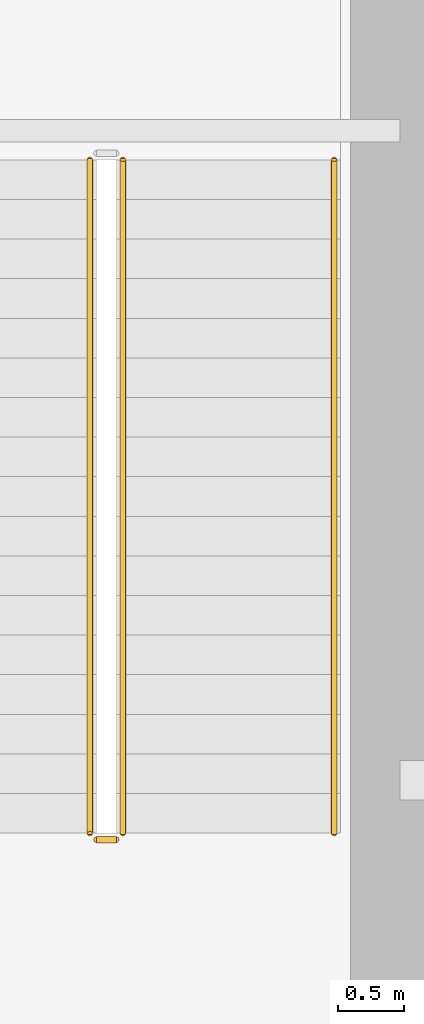
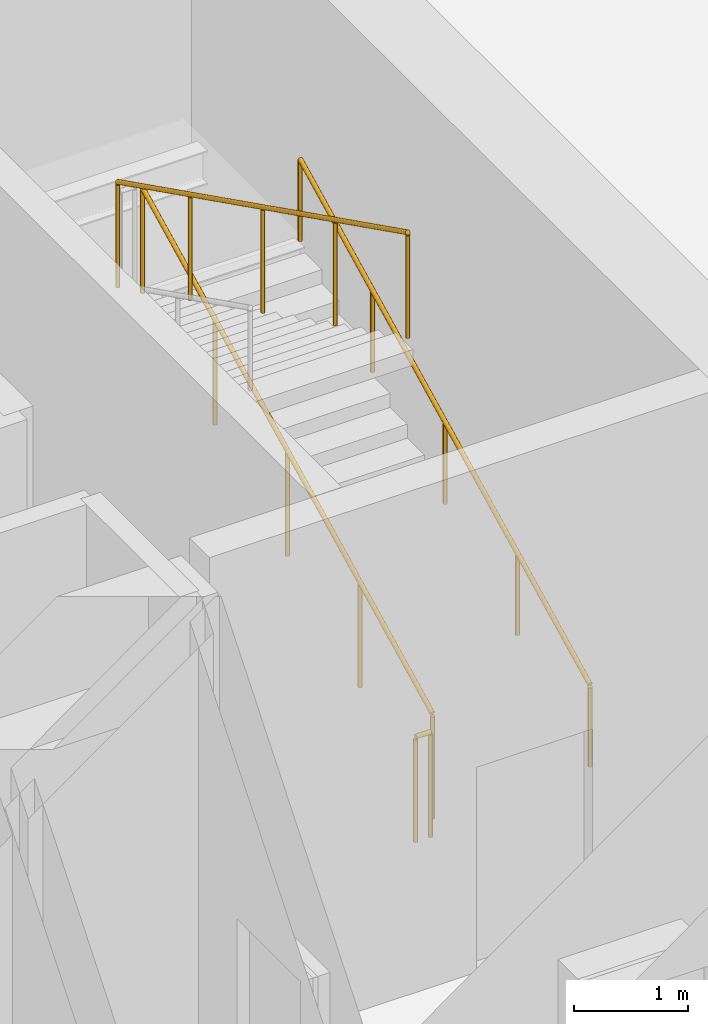
# One storey, part 33 of 39: 4 railings.
"""IFC4 building model written with IfcOpenShell, lengths in metres."""

import ifcopenshell
import ifcopenshell.guid

model = None  # the IFC model being written
_history = None  # IfcOwnerHistory: only IFC2X3 demands one
_inside = {}  # id of a spatial element -> (the spatial element, [elements in it])
_under = {}  # id of a project, library or spatial element -> (it, [spatial elements below it])
_declared = {}  # id of a project -> (the project, [libraries it declares])
_typed = {}  # id of a type object -> (the type object, [elements of that type])
_made_of = {}  # id of a material, layer set ... -> (it, [elements and type objects made of it])


def new_model(schema):
    """Start an empty IFC model of exactly this schema.

    Asked for "IFC4X3", IfcOpenShell would pick the latest addendum, in which some entities
    have other attributes; the version numbers below select the first issue.
    IFC2X3 requires an IfcOwnerHistory on every rooted entity: one is made here for all.
    """
    global model, _history
    if schema == "IFC4X3":
        model = ifcopenshell.file(schema_version=(4, 3, 0, 0))
    else:
        model = ifcopenshell.file(schema=schema)
    _inside.clear()
    _under.clear()
    _declared.clear()
    _typed.clear()
    _made_of.clear()
    _history = None
    if model.schema == "IFC2X3":
        org = make("IfcOrganization", Name="unknown")
        user = make(
            "IfcPersonAndOrganization",
            ThePerson=make("IfcPerson", FamilyName="unknown"),
            TheOrganization=org,
        )
        app = make(
            "IfcApplication",
            ApplicationDeveloper=org,
            Version="unknown",
            ApplicationFullName="unknown",
            ApplicationIdentifier="unknown",
        )
        _history = make(
            "IfcOwnerHistory",
            OwningUser=user,
            OwningApplication=app,
            ChangeAction="ADDED",
            CreationDate=0,
        )
    return model


def make(cls, **values):
    """One entity of the class cls with the attributes given. An attribute that is None is left unset."""
    return model.create_entity(
        cls, **{name: value for name, value in values.items() if value is not None}
    )


def rooted(cls, **values):
    """An entity with a GlobalId (a new one), such as an element, a storey or a relation."""
    return make(cls, GlobalId=ifcopenshell.guid.new(), OwnerHistory=_history, **values)


def si_unit(unit_type, name, prefix=None):
    """IfcSIUnit, for example si_unit("LENGTHUNIT", "METRE", prefix="MILLI")."""
    return make("IfcSIUnit", UnitType=unit_type, Prefix=prefix, Name=name)


def assignment(units):
    """IfcUnitAssignment: the units of a project."""
    return None if units is None else make("IfcUnitAssignment", Units=units)


def point(xyz):
    """IfcCartesianPoint."""
    return None if xyz is None else make("IfcCartesianPoint", Coordinates=xyz)


def direction(xyz):
    """IfcDirection."""
    return None if xyz is None else make("IfcDirection", DirectionRatios=xyz)


def frame(location, z_axis=None, x_axis=None):
    """IfcAxis2Placement3D, a coordinate frame: its origin and axes. An axis left out is left unset."""
    return make(
        "IfcAxis2Placement3D",
        Location=point(location),
        Axis=direction(z_axis),
        RefDirection=direction(x_axis),
    )


def frame_2d(location, x_axis=None):
    """IfcAxis2Placement2D, a coordinate frame in the plane: its origin and x axis."""
    return make(
        "IfcAxis2Placement2D", Location=point(location), RefDirection=direction(x_axis)
    )


def origin():
    """The frame at (0, 0, 0) with its axes left unset."""
    return frame((0.0, 0.0, 0.0))


def origin_2d():
    """The frame at (0, 0) in the plane with its x axis left unset."""
    return frame_2d((0.0, 0.0))


def place(relative_to, where):
    """IfcLocalPlacement: puts the frame where relative to a parent placement (None: the world)."""
    return make(
        "IfcLocalPlacement", PlacementRelTo=relative_to, RelativePlacement=where
    )


def context(
    kind, dimensions, precision=None, world=None, true_north=None, identifier=None
):
    """IfcGeometricRepresentationContext, for example the 3D "Model" context."""
    return make(
        "IfcGeometricRepresentationContext",
        ContextIdentifier=identifier,
        ContextType=kind,
        CoordinateSpaceDimension=dimensions,
        Precision=precision,
        WorldCoordinateSystem=world,
        TrueNorth=true_north,
    )


def subcontext(parent, identifier, kind, view, scale=None):
    """IfcGeometricRepresentationSubContext, for example "Body" below "Model"."""
    return make(
        "IfcGeometricRepresentationSubContext",
        ContextIdentifier=identifier,
        ContextType=kind,
        ParentContext=parent,
        TargetScale=scale,
        TargetView=view,
    )


def project(units=None, contexts=None):
    """IfcProject with its units and contexts."""
    return rooted(
        "IfcProject",
        Name="project",
        RepresentationContexts=contexts,
        UnitsInContext=assignment(units),
    )


def spatial(cls, under=None, at=None, **own):
    """A site, building, storey or space (cls), placed at a placement, below another one or the project."""
    s = rooted(cls, ObjectPlacement=at, **own)
    if under is not None:
        _under.setdefault(under.id(), (under, []))[1].append(s)
    return s


def profile(cls, at=None, kind="AREA", **sizes):
    """A parametric profile (cls). Its sizes go by their IFC names, for example OverallWidth=200.0."""
    return make(cls, ProfileType=kind, Position=at, **sizes)


def circle(**sizes):
    """IfcCircleProfileDef."""
    return profile("IfcCircleProfileDef", **sizes)


def extrude(swept, where, along, depth):
    """IfcExtrudedAreaSolid: the profile swept, set in the frame where, extruded along a direction by depth."""
    return make(
        "IfcExtrudedAreaSolid",
        SweptArea=swept,
        Position=where,
        ExtrudedDirection=direction(along),
        Depth=depth,
    )


def shape(context_of_items, identifier, shape_type, items):
    """IfcShapeRepresentation: the items that make up one representation, for example the "Body"."""
    return make(
        "IfcShapeRepresentation",
        ContextOfItems=context_of_items,
        RepresentationIdentifier=identifier,
        RepresentationType=shape_type,
        Items=items,
    )


def material(Name=None, Category=None):
    """IfcMaterial."""
    return make("IfcMaterial", Name=Name, Category=Category)


def made_of(thing, what):
    """Note that an element or type object is made of a material, layer set ...; save() writes the relation."""
    if what is not None:
        _made_of.setdefault(what.id(), (what, []))[1].append(thing)
    return thing


def type_object(cls, material=None, **own):
    """A type object (cls), such as IfcWallType, which elements share."""
    return made_of(rooted(cls, **own), material)


def element(
    cls,
    number,
    at=None,
    inside=None,
    cuts=None,
    type_object=None,
    material=None,
    context=None,
    identifier="Body",
    shape_type=None,
    held_by="IfcProductDefinitionShape",
    body=None,
    shapes=None,
    **own,
):
    """One element of the class cls, such as IfcWall. Its Tag is "e" and its number.

    at: its placement. inside: the storey or other place that contains it. cuts: it is an
    opening in that element (IfcRelVoidsElement). A single representation is given by context,
    identifier, shape_type and body (its items); several are given by shapes. held_by: the class
    of the entity that holds the representations. save() writes the other relations.
    """
    e = rooted(cls, Tag="e%d" % number, ObjectPlacement=at, **own)
    if body is not None:
        shapes = [shape(context, identifier, shape_type, body)]
    if shapes is not None:
        e.Representation = make(held_by, Representations=shapes)
    if inside is not None:
        _inside.setdefault(inside.id(), (inside, []))[1].append(e)
    if cuts is not None:
        rooted(
            "IfcRelVoidsElement", RelatingBuildingElement=cuts, RelatedOpeningElement=e
        )
    if type_object is not None:
        _typed.setdefault(type_object.id(), (type_object, []))[1].append(e)
    return made_of(e, material)


def aggregate(whole, parts):
    """IfcRelAggregates: a whole, such as a stair, and the parts it consists of."""
    return rooted("IfcRelAggregates", RelatingObject=whole, RelatedObjects=parts)


def save(model, path):
    """Write the relations noted so far, then the file.

    IfcRelAggregates (storeys below a building ...), IfcRelContainedInSpatialStructure (elements
    in a storey), IfcRelDefinesByType, IfcRelAssociatesMaterial and IfcRelDeclares: one each for
    every whole, place, type object, material and project.
    """
    for whole, parts in _under.values():
        aggregate(whole, parts)
    for where, things in _inside.values():
        rooted(
            "IfcRelContainedInSpatialStructure",
            RelatedElements=things,
            RelatingStructure=where,
        )
    for kind, things in _typed.values():
        rooted("IfcRelDefinesByType", RelatedObjects=things, RelatingType=kind)
    for what, things in _made_of.values():
        rooted("IfcRelAssociatesMaterial", RelatedObjects=things, RelatingMaterial=what)
    for by, libraries in _declared.values():
        rooted("IfcRelDeclares", RelatingContext=by, RelatedDefinitions=libraries)
    model.write(path)


model = new_model("IFC4")

# Units and contexts
model_context = context("Model", 3, precision=1e-05, world=origin(), true_north=direction((0.0, 1.0)))
body_context = subcontext(model_context, "Body", "Model", "MODEL_VIEW")
ifc_project = project(units=[si_unit("LENGTHUNIT", "METRE"), si_unit("AREAUNIT", "SQUARE_METRE"), si_unit("VOLUMEUNIT", "CUBIC_METRE"), si_unit("PLANEANGLEUNIT", "RADIAN"), si_unit("MASSUNIT", "GRAM", prefix="KILO")], contexts=[model_context])

# Site, building, storey
site_placement = place(None, origin())
site = spatial("IfcSite", under=ifc_project, at=site_placement, CompositionType="ELEMENT")
building_placement = place(site_placement, origin())
building = spatial("IfcBuilding", under=site, at=building_placement, Name="Punatoya Terracotta Tower", CompositionType="ELEMENT")
storey_placement = place(building_placement, frame((0.0, 0.0, 11.39990234375)))
storey = spatial("IfcBuildingStorey", under=building, at=storey_placement, Name="L02", CompositionType="ELEMENT", Elevation=11.39990234375)

# Railings
ifc_material = material(Name="Steel S355", Category="steel")
railing_type_1 = type_object("IfcRailingType", Name="RLG-GRD-1150", PredefinedType="GUARDRAIL", material=ifc_material)
railing_1_placement = place(storey_placement, frame((8.10009765625, -3.800048828125, 0.150146484375)))
element("IfcRailing", 1, at=railing_1_placement, inside=storey, type_object=railing_type_1, Name="L02 ST-2 stair guard 1", PredefinedType="GUARDRAIL", context=body_context, shape_type="SweptSolid", body=[
    extrude(circle(Radius=0.02392578125, at=origin_2d()), frame((0.0, 0.0, 1.1259765625), z_axis=(0.0, 0.894427191, 0.4472135955), x_axis=(-1.0, 0.0, 0.0)), (0.0, 0.0, 1.0), 5.7021484375),
    extrude(circle(Radius=0.02099609375, at=origin_2d()), origin(), (0.0, 0.0, 1.0), 1.101806640625),
    extrude(circle(Radius=0.02099609375, at=origin_2d()), frame((0.0, 1.27490234375, 0.637451171875)), (0.0, 0.0, 1.0), 1.101806640625),
    extrude(circle(Radius=0.02099609375, at=origin_2d()), frame((0.0, 2.550048828125, 1.27490234375)), (0.0, 0.0, 1.0), 1.101806640625),
    extrude(circle(Radius=0.02099609375, at=origin_2d()), frame((0.0, 3.8251953125, 1.91259765625)), (0.0, 0.0, 1.0), 1.101806640625),
    extrude(circle(Radius=0.02099609375, at=origin_2d()), frame((0.0, 5.10009765625, 2.550048828125)), (0.0, 0.0, 1.0), 1.101806640625),
])
railing_2_placement = place(storey_placement, frame((7.85009765625, 1.300048828125, 2.85009765625)))
element("IfcRailing", 2, at=railing_2_placement, inside=storey, type_object=railing_type_1, Name="L02 ST-2 stair guard 3", PredefinedType="GUARDRAIL", context=body_context, shape_type="SweptSolid", body=[
    extrude(circle(Radius=0.02392578125, at=origin_2d()), frame((0.0, 0.0, 1.1259765625), z_axis=(0.0, -0.894427191, 0.4472135955), x_axis=(1.0, 0.0, 0.0)), (0.0, 0.0, 1.0), 5.7021484375),
    extrude(circle(Radius=0.02099609375, at=origin_2d()), origin(), (0.0, 0.0, 1.0), 1.101806640625),
    extrude(circle(Radius=0.02099609375, at=origin_2d()), frame((0.0, -1.27490234375, 0.637451171875)), (0.0, 0.0, 1.0), 1.101806640625),
    extrude(circle(Radius=0.02099609375, at=origin_2d()), frame((0.0, -2.550048828125, 1.27490234375)), (0.0, 0.0, 1.0), 1.101806640625),
    extrude(circle(Radius=0.02099609375, at=origin_2d()), frame((0.0, -3.8251953125, 1.91259765625)), (0.0, 0.0, 1.0), 1.101806640625),
    extrude(circle(Radius=0.02099609375, at=origin_2d()), frame((0.0, -5.10009765625, 2.550048828125)), (0.0, 0.0, 1.0), 1.101806640625),
])
railing_3_placement = place(storey_placement, frame((8.050048828125, -3.85009765625, 0.0)))
element("IfcRailing", 3, at=railing_3_placement, inside=storey, type_object=railing_type_1, Name="L02 ST-2 stair guard 4", PredefinedType="GUARDRAIL", context=body_context, shape_type="SweptSolid", body=[
    extrude(circle(Radius=0.02392578125, at=origin_2d()), frame((0.0, 0.0, 1.1259765625), z_axis=(-1.0, 0.0, 0.0), x_axis=(0.0, -1.0, 0.0)), (0.0, 0.0, 1.0), 0.150146484375),
    extrude(circle(Radius=0.02099609375, at=origin_2d()), origin(), (0.0, 0.0, 1.0), 1.101806640625),
    extrude(circle(Radius=0.02099609375, at=origin_2d()), frame((-0.150146484375, 0.0, 0.0)), (0.0, 0.0, 1.0), 1.101806640625),
])
railing_type_2 = type_object("IfcRailingType", Name="RLG-HND-900", PredefinedType="HANDRAIL", material=ifc_material)
railing_4_placement = place(storey_placement, frame((9.699951171875, -3.800048828125, 0.150146484375)))
element("IfcRailing", 4, at=railing_4_placement, inside=storey, type_object=railing_type_2, Name="L02 ST-2 stair handrail 1", PredefinedType="HANDRAIL", context=body_context, shape_type="SweptSolid", body=[
    extrude(circle(Radius=0.02392578125, at=origin_2d()), frame((0.0, 0.0, 0.8759765625), z_axis=(0.0, 0.894427191, 0.4472135955), x_axis=(-1.0, 0.0, 0.0)), (0.0, 0.0, 1.0), 5.7021484375),
    extrude(circle(Radius=0.02099609375, at=origin_2d()), origin(), (0.0, 0.0, 1.0), 0.851806640625),
    extrude(circle(Radius=0.02099609375, at=origin_2d()), frame((0.0, 1.27490234375, 0.637451171875)), (0.0, 0.0, 1.0), 0.851806640625),
    extrude(circle(Radius=0.02099609375, at=origin_2d()), frame((0.0, 2.550048828125, 1.27490234375)), (0.0, 0.0, 1.0), 0.851806640625),
    extrude(circle(Radius=0.02099609375, at=origin_2d()), frame((0.0, 3.8251953125, 1.91259765625)), (0.0, 0.0, 1.0), 0.851806640625),
    extrude(circle(Radius=0.02099609375, at=origin_2d()), frame((0.0, 5.10009765625, 2.550048828125)), (0.0, 0.0, 1.0), 0.851806640625),
])

save(model, "model.ifc")
